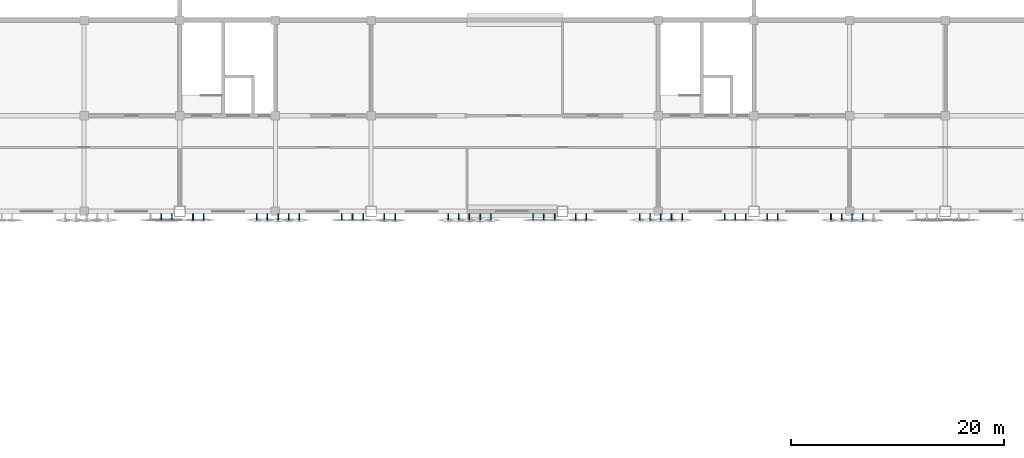
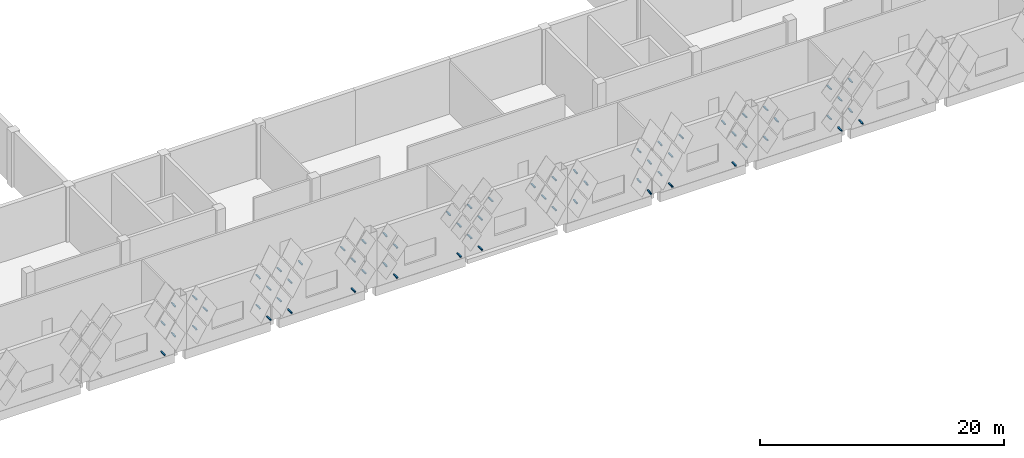
# One storey, part 141 of 185: 64 discrete accessories.
"""IFC4 building model written with IfcOpenShell, lengths in metres."""

from ifc_helpers import new_model, si_unit, direction, frame, origin, place, context, subcontext, project, spatial, polyline, outline, extrude, material, type_object, element, save


model = new_model("IFC4")

# Units and contexts
model_context = context("Model", 3, precision=1e-05, world=origin(), true_north=direction((0.0, 1.0)))
body_context = subcontext(model_context, "Body", "Model", "MODEL_VIEW")
ifc_project = project(units=[si_unit("LENGTHUNIT", "METRE"), si_unit("AREAUNIT", "SQUARE_METRE"), si_unit("VOLUMEUNIT", "CUBIC_METRE"), si_unit("PLANEANGLEUNIT", "RADIAN"), si_unit("MASSUNIT", "GRAM", prefix="KILO")], contexts=[model_context])

# Site, building, storey
site_placement = place(None, origin())
site = spatial("IfcSite", under=ifc_project, at=site_placement, CompositionType="ELEMENT")
building_placement = place(site_placement, origin())
building = spatial("IfcBuilding", under=site, at=building_placement, Name="Opaline Strait Convention Centre", CompositionType="ELEMENT")
storey_placement = place(building_placement, frame((0.0, 0.0, 6.0)))
storey = spatial("IfcBuildingStorey", under=building, at=storey_placement, Name="L01", CompositionType="ELEMENT", Elevation=6.0)

# Discrete accessories
ifc_material = material(Name="Steel Q355B", Category="steel")
discrete_accessory_type = type_object("IfcDiscreteAccessoryType", Name="Tile bracket 100x100 steel", PredefinedType="BRACKET", material=ifc_material)
discrete_accessory_1_placement = place(storey_placement, frame((151.199951171875, 53.800048828125, 0.39208984375), z_axis=(1.0, 0.0, 0.0), x_axis=(0.0, 1.0, 0.0)))
element("IfcDiscreteAccessory", 1, at=discrete_accessory_1_placement, inside=storey, type_object=discrete_accessory_type, Name="Tile bracket XT06 S", PredefinedType="BRACKET", context=body_context, shape_type="SweptSolid", body=[
    extrude(outline(polyline([(0.0, -0.050048828125), (0.0, 0.050048828125), (-0.597412109375, 0.050048828125), (-0.6025390625, -0.050048828125), (0.0, -0.050048828125)])), origin(), (0.0, 0.0, 1.0), 0.10009765625),
])
discrete_accessory_2_placement = place(storey_placement, frame((161.199951171875, 53.800048828125, 0.39208984375), z_axis=(1.0, 0.0, 0.0), x_axis=(0.0, 1.0, 0.0)))
element("IfcDiscreteAccessory", 2, at=discrete_accessory_2_placement, inside=storey, type_object=discrete_accessory_type, Name="Tile bracket XT13 S", PredefinedType="BRACKET", context=body_context, shape_type="SweptSolid", body=[
    extrude(outline(polyline([(0.0, -0.050048828125), (0.0, 0.050048828125), (-0.59423828125, 0.050048828125), (-0.605712890625, -0.050048828125), (0.0, -0.050048828125)])), origin(), (0.0, 0.0, 1.0), 0.10009765625),
])
discrete_accessory_3_placement = place(storey_placement, frame((163.199951171875, 53.800048828125, 0.39208984375), z_axis=(1.0, 0.0, 0.0), x_axis=(0.0, 1.0, 0.0)))
element("IfcDiscreteAccessory", 3, at=discrete_accessory_3_placement, inside=storey, type_object=discrete_accessory_type, Name="Tile bracket XT09 S", PredefinedType="BRACKET", context=body_context, shape_type="SweptSolid", body=[
    extrude(outline(polyline([(0.0, -0.050048828125), (0.0, 0.050048828125), (-0.595947265625, 0.050048828125), (-0.60400390625, -0.050048828125), (0.0, -0.050048828125)])), origin(), (0.0, 0.0, 1.0), 0.10009765625),
])
discrete_accessory_4_placement = place(storey_placement, frame((169.199951171875, 53.800048828125, 0.39208984375), z_axis=(1.0, 0.0, 0.0), x_axis=(0.0, 1.0, 0.0)))
element("IfcDiscreteAccessory", 4, at=discrete_accessory_4_placement, inside=storey, type_object=discrete_accessory_type, Name="Tile bracket XT07 S", PredefinedType="BRACKET", context=body_context, shape_type="SweptSolid", body=[
    extrude(outline(polyline([(0.0, -0.050048828125), (0.0, 0.050048828125), (-0.60302734375, 0.050048828125), (-0.596923828125, -0.050048828125), (0.0, -0.050048828125)])), origin(), (0.0, 0.0, 1.0), 0.10009765625),
])
discrete_accessory_5_placement = place(storey_placement, frame((173.199951171875, 53.800048828125, 0.39208984375), z_axis=(1.0, 0.0, 0.0), x_axis=(0.0, 1.0, 0.0)))
element("IfcDiscreteAccessory", 5, at=discrete_accessory_5_placement, inside=storey, type_object=discrete_accessory_type, Name="Tile bracket XT15 S", PredefinedType="BRACKET", context=body_context, shape_type="SweptSolid", body=[
    extrude(outline(polyline([(0.0, -0.050048828125), (0.0, 0.050048828125), (-0.606689453125, 0.050048828125), (-0.593505859375, -0.050048828125), (0.0, -0.050048828125)])), origin(), (0.0, 0.0, 1.0), 0.10009765625),
])
discrete_accessory_6_placement = place(storey_placement, frame((179.199951171875, 53.800048828125, 0.39208984375), z_axis=(1.0, 0.0, 0.0), x_axis=(0.0, 1.0, 0.0)))
element("IfcDiscreteAccessory", 6, at=discrete_accessory_6_placement, inside=storey, type_object=discrete_accessory_type, Name="Tile bracket XT14 S", PredefinedType="BRACKET", context=body_context, shape_type="SweptSolid", body=[
    extrude(outline(polyline([(0.0, -0.050048828125), (0.0, 0.050048828125), (-0.606201171875, 0.050048828125), (-0.59375, -0.050048828125), (0.0, -0.050048828125)])), origin(), (0.0, 0.0, 1.0), 0.10009765625),
])
discrete_accessory_7_placement = place(storey_placement, frame((181.199951171875, 53.800048828125, 0.39208984375), z_axis=(1.0, 0.0, 0.0), x_axis=(0.0, 1.0, 0.0)))
element("IfcDiscreteAccessory", 7, at=discrete_accessory_7_placement, inside=storey, type_object=discrete_accessory_type, Name="Tile bracket XT10 S", PredefinedType="BRACKET", context=body_context, shape_type="SweptSolid", body=[
    extrude(outline(polyline([(0.0, -0.050048828125), (0.0, 0.050048828125), (-0.604248046875, 0.050048828125), (-0.595703125, -0.050048828125), (0.0, -0.050048828125)])), origin(), (0.0, 0.0, 1.0), 0.10009765625),
])
discrete_accessory_8_placement = place(storey_placement, frame((197.199951171875, 53.800048828125, 0.39208984375), z_axis=(1.0, 0.0, 0.0), x_axis=(0.0, 1.0, 0.0)))
element("IfcDiscreteAccessory", 8, at=discrete_accessory_8_placement, inside=storey, type_object=discrete_accessory_type, Name="Tile bracket XT13 S", PredefinedType="BRACKET", context=body_context, shape_type="SweptSolid", body=[
    extrude(outline(polyline([(0.0, -0.050048828125), (0.0, 0.050048828125), (-0.59423828125, 0.050048828125), (-0.605712890625, -0.050048828125), (0.0, -0.050048828125)])), origin(), (0.0, 0.0, 1.0), 0.10009765625),
])
discrete_accessory_9_placement = place(storey_placement, frame((199.199951171875, 53.800048828125, 0.39208984375), z_axis=(1.0, 0.0, 0.0), x_axis=(0.0, 1.0, 0.0)))
element("IfcDiscreteAccessory", 9, at=discrete_accessory_9_placement, inside=storey, type_object=discrete_accessory_type, Name="Tile bracket XT09 S", PredefinedType="BRACKET", context=body_context, shape_type="SweptSolid", body=[
    extrude(outline(polyline([(0.0, -0.050048828125), (0.0, 0.050048828125), (-0.595947265625, 0.050048828125), (-0.60400390625, -0.050048828125), (0.0, -0.050048828125)])), origin(), (0.0, 0.0, 1.0), 0.10009765625),
])
discrete_accessory_10_placement = place(storey_placement, frame((205.199951171875, 53.800048828125, 0.39208984375), z_axis=(1.0, 0.0, 0.0), x_axis=(0.0, 1.0, 0.0)))
element("IfcDiscreteAccessory", 10, at=discrete_accessory_10_placement, inside=storey, type_object=discrete_accessory_type, Name="Tile bracket XT07 S", PredefinedType="BRACKET", context=body_context, shape_type="SweptSolid", body=[
    extrude(outline(polyline([(0.0, -0.050048828125), (0.0, 0.050048828125), (-0.60302734375, 0.050048828125), (-0.596923828125, -0.050048828125), (0.0, -0.050048828125)])), origin(), (0.0, 0.0, 1.0), 0.10009765625),
])
discrete_accessory_11_placement = place(storey_placement, frame((215.199951171875, 53.800048828125, 0.39208984375), z_axis=(1.0, 0.0, 0.0), x_axis=(0.0, 1.0, 0.0)))
element("IfcDiscreteAccessory", 11, at=discrete_accessory_11_placement, inside=storey, type_object=discrete_accessory_type, Name="Tile bracket XT12 S", PredefinedType="BRACKET", context=body_context, shape_type="SweptSolid", body=[
    extrude(outline(polyline([(0.0, -0.050048828125), (0.0, 0.050048828125), (-0.605224609375, 0.050048828125), (-0.5947265625, -0.050048828125), (0.0, -0.050048828125)])), origin(), (0.0, 0.0, 1.0), 0.10009765625),
])
discrete_accessory_12_placement = place(storey_placement, frame((217.199951171875, 53.800048828125, 0.39208984375), z_axis=(1.0, 0.0, 0.0), x_axis=(0.0, 1.0, 0.0)))
element("IfcDiscreteAccessory", 12, at=discrete_accessory_12_placement, inside=storey, type_object=discrete_accessory_type, Name="Tile bracket XT08 S", PredefinedType="BRACKET", context=body_context, shape_type="SweptSolid", body=[
    extrude(outline(polyline([(0.0, -0.050048828125), (0.0, 0.050048828125), (-0.603515625, 0.050048828125), (-0.596435546875, -0.050048828125), (0.0, -0.050048828125)])), origin(), (0.0, 0.0, 1.0), 0.10009765625),
])
discrete_accessory_13_placement = place(storey_placement, frame((152.199951171875, 53.800048828125, 1.89208984375), z_axis=(1.0, 0.0, 0.0), x_axis=(0.0, 1.0, 0.0)))
element("IfcDiscreteAccessory", 13, at=discrete_accessory_13_placement, inside=storey, type_object=discrete_accessory_type, Name="Tile bracket XT06 S", PredefinedType="BRACKET", context=body_context, shape_type="SweptSolid", body=[
    extrude(outline(polyline([(0.0, -0.050048828125), (0.0, 0.050048828125), (-0.597412109375, 0.050048828125), (-0.6025390625, -0.050048828125), (0.0, -0.050048828125)])), origin(), (0.0, 0.0, 1.0), 0.10009765625),
])
discrete_accessory_14_placement = place(storey_placement, frame((154.199951171875, 53.800048828125, 1.89208984375), z_axis=(1.0, 0.0, 0.0), x_axis=(0.0, 1.0, 0.0)))
element("IfcDiscreteAccessory", 14, at=discrete_accessory_14_placement, inside=storey, type_object=discrete_accessory_type, Name="Tile bracket XT11 S", PredefinedType="BRACKET", context=body_context, shape_type="SweptSolid", body=[
    extrude(outline(polyline([(0.0, -0.050048828125), (0.0, 0.050048828125), (-0.59521484375, 0.050048828125), (-0.604736328125, -0.050048828125), (0.0, -0.050048828125)])), origin(), (0.0, 0.0, 1.0), 0.10009765625),
])
discrete_accessory_15_placement = place(storey_placement, frame((160.199951171875, 53.800048828125, 1.89208984375), z_axis=(1.0, 0.0, 0.0), x_axis=(0.0, 1.0, 0.0)))
element("IfcDiscreteAccessory", 15, at=discrete_accessory_15_placement, inside=storey, type_object=discrete_accessory_type, Name="Tile bracket XT16 S", PredefinedType="BRACKET", context=body_context, shape_type="SweptSolid", body=[
    extrude(outline(polyline([(0.0, -0.050048828125), (0.0, 0.050048828125), (-0.593017578125, 0.050048828125), (-0.60693359375, -0.050048828125), (0.0, -0.050048828125)])), origin(), (0.0, 0.0, 1.0), 0.10009765625),
])
discrete_accessory_16_placement = place(storey_placement, frame((162.199951171875, 53.800048828125, 1.89208984375), z_axis=(1.0, 0.0, 0.0), x_axis=(0.0, 1.0, 0.0)))
element("IfcDiscreteAccessory", 16, at=discrete_accessory_16_placement, inside=storey, type_object=discrete_accessory_type, Name="Tile bracket XT13 S", PredefinedType="BRACKET", context=body_context, shape_type="SweptSolid", body=[
    extrude(outline(polyline([(0.0, -0.050048828125), (0.0, 0.050048828125), (-0.59423828125, 0.050048828125), (-0.605712890625, -0.050048828125), (0.0, -0.050048828125)])), origin(), (0.0, 0.0, 1.0), 0.10009765625),
])
discrete_accessory_17_placement = place(storey_placement, frame((170.199951171875, 53.800048828125, 1.89208984375), z_axis=(1.0, 0.0, 0.0), x_axis=(0.0, 1.0, 0.0)))
element("IfcDiscreteAccessory", 17, at=discrete_accessory_17_placement, inside=storey, type_object=discrete_accessory_type, Name="Tile bracket XT07 S", PredefinedType="BRACKET", context=body_context, shape_type="SweptSolid", body=[
    extrude(outline(polyline([(0.0, -0.050048828125), (0.0, 0.050048828125), (-0.60302734375, 0.050048828125), (-0.596923828125, -0.050048828125), (0.0, -0.050048828125)])), origin(), (0.0, 0.0, 1.0), 0.10009765625),
])
discrete_accessory_18_placement = place(storey_placement, frame((172.199951171875, 53.800048828125, 1.89208984375), z_axis=(1.0, 0.0, 0.0), x_axis=(0.0, 1.0, 0.0)))
element("IfcDiscreteAccessory", 18, at=discrete_accessory_18_placement, inside=storey, type_object=discrete_accessory_type, Name="Tile bracket XT12 S", PredefinedType="BRACKET", context=body_context, shape_type="SweptSolid", body=[
    extrude(outline(polyline([(0.0, -0.050048828125), (0.0, 0.050048828125), (-0.605224609375, 0.050048828125), (-0.5947265625, -0.050048828125), (0.0, -0.050048828125)])), origin(), (0.0, 0.0, 1.0), 0.10009765625),
])
discrete_accessory_19_placement = place(storey_placement, frame((180.199951171875, 53.800048828125, 1.89208984375), z_axis=(1.0, 0.0, 0.0), x_axis=(0.0, 1.0, 0.0)))
element("IfcDiscreteAccessory", 19, at=discrete_accessory_19_placement, inside=storey, type_object=discrete_accessory_type, Name="Tile bracket XT14 S", PredefinedType="BRACKET", context=body_context, shape_type="SweptSolid", body=[
    extrude(outline(polyline([(0.0, -0.050048828125), (0.0, 0.050048828125), (-0.606201171875, 0.050048828125), (-0.59375, -0.050048828125), (0.0, -0.050048828125)])), origin(), (0.0, 0.0, 1.0), 0.10009765625),
])
discrete_accessory_20_placement = place(storey_placement, frame((188.199951171875, 53.800048828125, 1.89208984375), z_axis=(1.0, 0.0, 0.0), x_axis=(0.0, 1.0, 0.0)))
element("IfcDiscreteAccessory", 20, at=discrete_accessory_20_placement, inside=storey, type_object=discrete_accessory_type, Name="Tile bracket XT07 S", PredefinedType="BRACKET", context=body_context, shape_type="SweptSolid", body=[
    extrude(outline(polyline([(0.0, -0.050048828125), (0.0, 0.050048828125), (-0.596923828125, 0.050048828125), (-0.60302734375, -0.050048828125), (0.0, -0.050048828125)])), origin(), (0.0, 0.0, 1.0), 0.10009765625),
])
discrete_accessory_21_placement = place(storey_placement, frame((190.199951171875, 53.800048828125, 1.89208984375), z_axis=(1.0, 0.0, 0.0), x_axis=(0.0, 1.0, 0.0)))
element("IfcDiscreteAccessory", 21, at=discrete_accessory_21_placement, inside=storey, type_object=discrete_accessory_type, Name="Tile bracket XT12 S", PredefinedType="BRACKET", context=body_context, shape_type="SweptSolid", body=[
    extrude(outline(polyline([(0.0, -0.050048828125), (0.0, 0.050048828125), (-0.5947265625, 0.050048828125), (-0.605224609375, -0.050048828125), (0.0, -0.050048828125)])), origin(), (0.0, 0.0, 1.0), 0.10009765625),
])
discrete_accessory_22_placement = place(storey_placement, frame((196.199951171875, 53.800048828125, 1.89208984375), z_axis=(1.0, 0.0, 0.0), x_axis=(0.0, 1.0, 0.0)))
element("IfcDiscreteAccessory", 22, at=discrete_accessory_22_placement, inside=storey, type_object=discrete_accessory_type, Name="Tile bracket XT16 S", PredefinedType="BRACKET", context=body_context, shape_type="SweptSolid", body=[
    extrude(outline(polyline([(0.0, -0.050048828125), (0.0, 0.050048828125), (-0.593017578125, 0.050048828125), (-0.60693359375, -0.050048828125), (0.0, -0.050048828125)])), origin(), (0.0, 0.0, 1.0), 0.10009765625),
])
discrete_accessory_23_placement = place(storey_placement, frame((198.199951171875, 53.800048828125, 1.89208984375), z_axis=(1.0, 0.0, 0.0), x_axis=(0.0, 1.0, 0.0)))
element("IfcDiscreteAccessory", 23, at=discrete_accessory_23_placement, inside=storey, type_object=discrete_accessory_type, Name="Tile bracket XT13 S", PredefinedType="BRACKET", context=body_context, shape_type="SweptSolid", body=[
    extrude(outline(polyline([(0.0, -0.050048828125), (0.0, 0.050048828125), (-0.59423828125, 0.050048828125), (-0.605712890625, -0.050048828125), (0.0, -0.050048828125)])), origin(), (0.0, 0.0, 1.0), 0.10009765625),
])
discrete_accessory_24_placement = place(storey_placement, frame((206.199951171875, 53.800048828125, 1.89208984375), z_axis=(1.0, 0.0, 0.0), x_axis=(0.0, 1.0, 0.0)))
element("IfcDiscreteAccessory", 24, at=discrete_accessory_24_placement, inside=storey, type_object=discrete_accessory_type, Name="Tile bracket XT06 S", PredefinedType="BRACKET", context=body_context, shape_type="SweptSolid", body=[
    extrude(outline(polyline([(0.0, -0.050048828125), (0.0, 0.050048828125), (-0.6025390625, 0.050048828125), (-0.597412109375, -0.050048828125), (0.0, -0.050048828125)])), origin(), (0.0, 0.0, 1.0), 0.10009765625),
])
discrete_accessory_25_placement = place(storey_placement, frame((208.199951171875, 53.800048828125, 1.89208984375), z_axis=(1.0, 0.0, 0.0), x_axis=(0.0, 1.0, 0.0)))
element("IfcDiscreteAccessory", 25, at=discrete_accessory_25_placement, inside=storey, type_object=discrete_accessory_type, Name="Tile bracket XT10 S", PredefinedType="BRACKET", context=body_context, shape_type="SweptSolid", body=[
    extrude(outline(polyline([(0.0, -0.050048828125), (0.0, 0.050048828125), (-0.604248046875, 0.050048828125), (-0.595703125, -0.050048828125), (0.0, -0.050048828125)])), origin(), (0.0, 0.0, 1.0), 0.10009765625),
])
discrete_accessory_26_placement = place(storey_placement, frame((214.199951171875, 53.800048828125, 1.89208984375), z_axis=(1.0, 0.0, 0.0), x_axis=(0.0, 1.0, 0.0)))
element("IfcDiscreteAccessory", 26, at=discrete_accessory_26_placement, inside=storey, type_object=discrete_accessory_type, Name="Tile bracket XT15 S", PredefinedType="BRACKET", context=body_context, shape_type="SweptSolid", body=[
    extrude(outline(polyline([(0.0, -0.050048828125), (0.0, 0.050048828125), (-0.606689453125, 0.050048828125), (-0.593505859375, -0.050048828125), (0.0, -0.050048828125)])), origin(), (0.0, 0.0, 1.0), 0.10009765625),
])
discrete_accessory_27_placement = place(storey_placement, frame((216.199951171875, 53.800048828125, 1.89208984375), z_axis=(1.0, 0.0, 0.0), x_axis=(0.0, 1.0, 0.0)))
element("IfcDiscreteAccessory", 27, at=discrete_accessory_27_placement, inside=storey, type_object=discrete_accessory_type, Name="Tile bracket XT12 S", PredefinedType="BRACKET", context=body_context, shape_type="SweptSolid", body=[
    extrude(outline(polyline([(0.0, -0.050048828125), (0.0, 0.050048828125), (-0.605224609375, 0.050048828125), (-0.5947265625, -0.050048828125), (0.0, -0.050048828125)])), origin(), (0.0, 0.0, 1.0), 0.10009765625),
])
discrete_accessory_28_placement = place(storey_placement, frame((151.199951171875, 53.800048828125, 3.39208984375), z_axis=(1.0, 0.0, 0.0), x_axis=(0.0, 1.0, 0.0)))
element("IfcDiscreteAccessory", 28, at=discrete_accessory_28_placement, inside=storey, type_object=discrete_accessory_type, Name="Tile bracket XT05 S", PredefinedType="BRACKET", context=body_context, shape_type="SweptSolid", body=[
    extrude(outline(polyline([(0.0, -0.050048828125), (0.0, 0.050048828125), (-0.597900390625, 0.050048828125), (-0.602294921875, -0.050048828125), (0.0, -0.050048828125)])), origin(), (0.0, 0.0, 1.0), 0.10009765625),
])
discrete_accessory_29_placement = place(storey_placement, frame((155.199951171875, 53.800048828125, 3.39208984375), z_axis=(1.0, 0.0, 0.0), x_axis=(0.0, 1.0, 0.0)))
element("IfcDiscreteAccessory", 29, at=discrete_accessory_29_placement, inside=storey, type_object=discrete_accessory_type, Name="Tile bracket XT11 S", PredefinedType="BRACKET", context=body_context, shape_type="SweptSolid", body=[
    extrude(outline(polyline([(0.0, -0.050048828125), (0.0, 0.050048828125), (-0.59521484375, 0.050048828125), (-0.604736328125, -0.050048828125), (0.0, -0.050048828125)])), origin(), (0.0, 0.0, 1.0), 0.10009765625),
])
discrete_accessory_30_placement = place(storey_placement, frame((161.199951171875, 53.800048828125, 3.39208984375), z_axis=(1.0, 0.0, 0.0), x_axis=(0.0, 1.0, 0.0)))
element("IfcDiscreteAccessory", 30, at=discrete_accessory_30_placement, inside=storey, type_object=discrete_accessory_type, Name="Tile bracket XT16 S", PredefinedType="BRACKET", context=body_context, shape_type="SweptSolid", body=[
    extrude(outline(polyline([(0.0, -0.050048828125), (0.0, 0.050048828125), (-0.593017578125, 0.050048828125), (-0.60693359375, -0.050048828125), (0.0, -0.050048828125)])), origin(), (0.0, 0.0, 1.0), 0.10009765625),
])
discrete_accessory_31_placement = place(storey_placement, frame((163.199951171875, 53.800048828125, 3.39208984375), z_axis=(1.0, 0.0, 0.0), x_axis=(0.0, 1.0, 0.0)))
element("IfcDiscreteAccessory", 31, at=discrete_accessory_31_placement, inside=storey, type_object=discrete_accessory_type, Name="Tile bracket XT14 S", PredefinedType="BRACKET", context=body_context, shape_type="SweptSolid", body=[
    extrude(outline(polyline([(0.0, -0.050048828125), (0.0, 0.050048828125), (-0.59375, 0.050048828125), (-0.606201171875, -0.050048828125), (0.0, -0.050048828125)])), origin(), (0.0, 0.0, 1.0), 0.10009765625),
])
discrete_accessory_32_placement = place(storey_placement, frame((169.199951171875, 53.800048828125, 3.39208984375), z_axis=(1.0, 0.0, 0.0), x_axis=(0.0, 1.0, 0.0)))
element("IfcDiscreteAccessory", 32, at=discrete_accessory_32_placement, inside=storey, type_object=discrete_accessory_type, Name="Tile bracket XT06 S", PredefinedType="BRACKET", context=body_context, shape_type="SweptSolid", body=[
    extrude(outline(polyline([(0.0, -0.050048828125), (0.0, 0.050048828125), (-0.6025390625, 0.050048828125), (-0.597412109375, -0.050048828125), (0.0, -0.050048828125)])), origin(), (0.0, 0.0, 1.0), 0.10009765625),
])
discrete_accessory_33_placement = place(storey_placement, frame((173.199951171875, 53.800048828125, 3.39208984375), z_axis=(1.0, 0.0, 0.0), x_axis=(0.0, 1.0, 0.0)))
element("IfcDiscreteAccessory", 33, at=discrete_accessory_33_placement, inside=storey, type_object=discrete_accessory_type, Name="Tile bracket XT11 S", PredefinedType="BRACKET", context=body_context, shape_type="SweptSolid", body=[
    extrude(outline(polyline([(0.0, -0.050048828125), (0.0, 0.050048828125), (-0.604736328125, 0.050048828125), (-0.59521484375, -0.050048828125), (0.0, -0.050048828125)])), origin(), (0.0, 0.0, 1.0), 0.10009765625),
])
discrete_accessory_34_placement = place(storey_placement, frame((179.199951171875, 53.800048828125, 3.39208984375), z_axis=(1.0, 0.0, 0.0), x_axis=(0.0, 1.0, 0.0)))
element("IfcDiscreteAccessory", 34, at=discrete_accessory_34_placement, inside=storey, type_object=discrete_accessory_type, Name="Tile bracket XT17 S", PredefinedType="BRACKET", context=body_context, shape_type="SweptSolid", body=[
    extrude(outline(polyline([(0.0, -0.050048828125), (0.0, 0.050048828125), (-0.607421875, 0.050048828125), (-0.592529296875, -0.050048828125), (0.0, -0.050048828125)])), origin(), (0.0, 0.0, 1.0), 0.10009765625),
])
discrete_accessory_35_placement = place(storey_placement, frame((181.199951171875, 53.800048828125, 3.39208984375), z_axis=(1.0, 0.0, 0.0), x_axis=(0.0, 1.0, 0.0)))
element("IfcDiscreteAccessory", 35, at=discrete_accessory_35_placement, inside=storey, type_object=discrete_accessory_type, Name="Tile bracket XT14 S", PredefinedType="BRACKET", context=body_context, shape_type="SweptSolid", body=[
    extrude(outline(polyline([(0.0, -0.050048828125), (0.0, 0.050048828125), (-0.606201171875, 0.050048828125), (-0.59375, -0.050048828125), (0.0, -0.050048828125)])), origin(), (0.0, 0.0, 1.0), 0.10009765625),
])
discrete_accessory_36_placement = place(storey_placement, frame((187.199951171875, 53.800048828125, 3.39208984375), z_axis=(1.0, 0.0, 0.0), x_axis=(0.0, 1.0, 0.0)))
element("IfcDiscreteAccessory", 36, at=discrete_accessory_36_placement, inside=storey, type_object=discrete_accessory_type, Name="Tile bracket XT06 S", PredefinedType="BRACKET", context=body_context, shape_type="SweptSolid", body=[
    extrude(outline(polyline([(0.0, -0.050048828125), (0.0, 0.050048828125), (-0.597412109375, 0.050048828125), (-0.6025390625, -0.050048828125), (0.0, -0.050048828125)])), origin(), (0.0, 0.0, 1.0), 0.10009765625),
])
discrete_accessory_37_placement = place(storey_placement, frame((191.199951171875, 53.800048828125, 3.39208984375), z_axis=(1.0, 0.0, 0.0), x_axis=(0.0, 1.0, 0.0)))
element("IfcDiscreteAccessory", 37, at=discrete_accessory_37_placement, inside=storey, type_object=discrete_accessory_type, Name="Tile bracket XT11 S", PredefinedType="BRACKET", context=body_context, shape_type="SweptSolid", body=[
    extrude(outline(polyline([(0.0, -0.050048828125), (0.0, 0.050048828125), (-0.59521484375, 0.050048828125), (-0.604736328125, -0.050048828125), (0.0, -0.050048828125)])), origin(), (0.0, 0.0, 1.0), 0.10009765625),
])
discrete_accessory_38_placement = place(storey_placement, frame((197.199951171875, 53.800048828125, 3.39208984375), z_axis=(1.0, 0.0, 0.0), x_axis=(0.0, 1.0, 0.0)))
element("IfcDiscreteAccessory", 38, at=discrete_accessory_38_placement, inside=storey, type_object=discrete_accessory_type, Name="Tile bracket XT16 S", PredefinedType="BRACKET", context=body_context, shape_type="SweptSolid", body=[
    extrude(outline(polyline([(0.0, -0.050048828125), (0.0, 0.050048828125), (-0.593017578125, 0.050048828125), (-0.60693359375, -0.050048828125), (0.0, -0.050048828125)])), origin(), (0.0, 0.0, 1.0), 0.10009765625),
])
discrete_accessory_39_placement = place(storey_placement, frame((199.199951171875, 53.800048828125, 3.39208984375), z_axis=(1.0, 0.0, 0.0), x_axis=(0.0, 1.0, 0.0)))
element("IfcDiscreteAccessory", 39, at=discrete_accessory_39_placement, inside=storey, type_object=discrete_accessory_type, Name="Tile bracket XT14 S", PredefinedType="BRACKET", context=body_context, shape_type="SweptSolid", body=[
    extrude(outline(polyline([(0.0, -0.050048828125), (0.0, 0.050048828125), (-0.59375, 0.050048828125), (-0.606201171875, -0.050048828125), (0.0, -0.050048828125)])), origin(), (0.0, 0.0, 1.0), 0.10009765625),
])
discrete_accessory_40_placement = place(storey_placement, frame((205.199951171875, 53.800048828125, 3.39208984375), z_axis=(1.0, 0.0, 0.0), x_axis=(0.0, 1.0, 0.0)))
element("IfcDiscreteAccessory", 40, at=discrete_accessory_40_placement, inside=storey, type_object=discrete_accessory_type, Name="Tile bracket XT06 S", PredefinedType="BRACKET", context=body_context, shape_type="SweptSolid", body=[
    extrude(outline(polyline([(0.0, -0.050048828125), (0.0, 0.050048828125), (-0.6025390625, 0.050048828125), (-0.597412109375, -0.050048828125), (0.0, -0.050048828125)])), origin(), (0.0, 0.0, 1.0), 0.10009765625),
])
discrete_accessory_41_placement = place(storey_placement, frame((209.199951171875, 53.800048828125, 3.39208984375), z_axis=(1.0, 0.0, 0.0), x_axis=(0.0, 1.0, 0.0)))
element("IfcDiscreteAccessory", 41, at=discrete_accessory_41_placement, inside=storey, type_object=discrete_accessory_type, Name="Tile bracket XT10 S", PredefinedType="BRACKET", context=body_context, shape_type="SweptSolid", body=[
    extrude(outline(polyline([(0.0, -0.050048828125), (0.0, 0.050048828125), (-0.604248046875, 0.050048828125), (-0.595703125, -0.050048828125), (0.0, -0.050048828125)])), origin(), (0.0, 0.0, 1.0), 0.10009765625),
])
discrete_accessory_42_placement = place(storey_placement, frame((215.199951171875, 53.800048828125, 3.39208984375), z_axis=(1.0, 0.0, 0.0), x_axis=(0.0, 1.0, 0.0)))
element("IfcDiscreteAccessory", 42, at=discrete_accessory_42_placement, inside=storey, type_object=discrete_accessory_type, Name="Tile bracket XT15 S", PredefinedType="BRACKET", context=body_context, shape_type="SweptSolid", body=[
    extrude(outline(polyline([(0.0, -0.050048828125), (0.0, 0.050048828125), (-0.606689453125, 0.050048828125), (-0.593505859375, -0.050048828125), (0.0, -0.050048828125)])), origin(), (0.0, 0.0, 1.0), 0.10009765625),
])
discrete_accessory_43_placement = place(storey_placement, frame((152.199951171875, 53.800048828125, 4.89208984375), z_axis=(1.0, 0.0, 0.0), x_axis=(0.0, 1.0, 0.0)))
element("IfcDiscreteAccessory", 43, at=discrete_accessory_43_placement, inside=storey, type_object=discrete_accessory_type, Name="Tile bracket XT05 S", PredefinedType="BRACKET", context=body_context, shape_type="SweptSolid", body=[
    extrude(outline(polyline([(0.0, -0.050048828125), (0.0, 0.050048828125), (-0.597900390625, 0.050048828125), (-0.602294921875, -0.050048828125), (0.0, -0.050048828125)])), origin(), (0.0, 0.0, 1.0), 0.10009765625),
])
discrete_accessory_44_placement = place(storey_placement, frame((154.199951171875, 53.800048828125, 4.89208984375), z_axis=(1.0, 0.0, 0.0), x_axis=(0.0, 1.0, 0.0)))
element("IfcDiscreteAccessory", 44, at=discrete_accessory_44_placement, inside=storey, type_object=discrete_accessory_type, Name="Tile bracket XT06 S", PredefinedType="BRACKET", context=body_context, shape_type="SweptSolid", body=[
    extrude(outline(polyline([(0.0, -0.050048828125), (0.0, 0.050048828125), (-0.597412109375, 0.050048828125), (-0.6025390625, -0.050048828125), (0.0, -0.050048828125)])), origin(), (0.0, 0.0, 1.0), 0.10009765625),
])
for number, where, z_axis, x_axis, name in (
    (45, (160.199951171875, 53.800048828125, 4.89208984375), (1.0, 0.0, 0.0), (0.0, 1.0, 0.0), "Tile bracket XT16 S"),
    (46, (162.199951171875, 53.800048828125, 4.89208984375), (1.0, 0.0, 0.0), (0.0, 1.0, 0.0), "Tile bracket XT16 S"),
):
    element("IfcDiscreteAccessory", number, at=place(storey_placement, frame(where, z_axis=z_axis, x_axis=x_axis)), inside=storey, type_object=discrete_accessory_type, Name=name, PredefinedType="BRACKET", context=body_context, shape_type="SweptSolid", body=[
        extrude(outline(polyline([(0.0, -0.050048828125), (0.0, 0.050048828125), (-0.593017578125, 0.050048828125), (-0.60693359375, -0.050048828125), (0.0, -0.050048828125)])), origin(), (0.0, 0.0, 1.0), 0.10009765625),
    ])
discrete_accessory_45_placement = place(storey_placement, frame((164.199951171875, 53.800048828125, 4.89208984375), z_axis=(1.0, 0.0, 0.0), x_axis=(0.0, 1.0, 0.0)))
element("IfcDiscreteAccessory", 47, at=discrete_accessory_45_placement, inside=storey, type_object=discrete_accessory_type, Name="Tile bracket XT14 S", PredefinedType="BRACKET", context=body_context, shape_type="SweptSolid", body=[
    extrude(outline(polyline([(0.0, -0.050048828125), (0.0, 0.050048828125), (-0.59375, 0.050048828125), (-0.606201171875, -0.050048828125), (0.0, -0.050048828125)])), origin(), (0.0, 0.0, 1.0), 0.10009765625),
])
discrete_accessory_46_placement = place(storey_placement, frame((168.199951171875, 53.800048828125, 4.89208984375), z_axis=(1.0, 0.0, 0.0), x_axis=(0.0, 1.0, 0.0)))
element("IfcDiscreteAccessory", 48, at=discrete_accessory_46_placement, inside=storey, type_object=discrete_accessory_type, Name="Tile bracket XT06 S", PredefinedType="BRACKET", context=body_context, shape_type="SweptSolid", body=[
    extrude(outline(polyline([(0.0, -0.050048828125), (0.0, 0.050048828125), (-0.597412109375, 0.050048828125), (-0.6025390625, -0.050048828125), (0.0, -0.050048828125)])), origin(), (0.0, 0.0, 1.0), 0.10009765625),
])
for number, where, z_axis, x_axis, name in (
    (49, (170.199951171875, 53.800048828125, 4.89208984375), (1.0, 0.0, 0.0), (0.0, 1.0, 0.0), "Tile bracket XT06 S"),
    (50, (172.199951171875, 53.800048828125, 4.89208984375), (1.0, 0.0, 0.0), (0.0, 1.0, 0.0), "Tile bracket XT06 S"),
):
    element("IfcDiscreteAccessory", number, at=place(storey_placement, frame(where, z_axis=z_axis, x_axis=x_axis)), inside=storey, type_object=discrete_accessory_type, Name=name, PredefinedType="BRACKET", context=body_context, shape_type="SweptSolid", body=[
        extrude(outline(polyline([(0.0, -0.050048828125), (0.0, 0.050048828125), (-0.6025390625, 0.050048828125), (-0.597412109375, -0.050048828125), (0.0, -0.050048828125)])), origin(), (0.0, 0.0, 1.0), 0.10009765625),
    ])
for number, where, z_axis, x_axis, name in (
    (51, (178.199951171875, 53.800048828125, 4.89208984375), (1.0, 0.0, 0.0), (0.0, 1.0, 0.0), "Tile bracket XT17 S"),
    (52, (180.199951171875, 53.800048828125, 4.89208984375), (1.0, 0.0, 0.0), (0.0, 1.0, 0.0), "Tile bracket XT17 S"),
):
    element("IfcDiscreteAccessory", number, at=place(storey_placement, frame(where, z_axis=z_axis, x_axis=x_axis)), inside=storey, type_object=discrete_accessory_type, Name=name, PredefinedType="BRACKET", context=body_context, shape_type="SweptSolid", body=[
        extrude(outline(polyline([(0.0, -0.050048828125), (0.0, 0.050048828125), (-0.607421875, 0.050048828125), (-0.592529296875, -0.050048828125), (0.0, -0.050048828125)])), origin(), (0.0, 0.0, 1.0), 0.10009765625),
    ])
discrete_accessory_47_placement = place(storey_placement, frame((182.199951171875, 53.800048828125, 4.89208984375), z_axis=(1.0, 0.0, 0.0), x_axis=(0.0, 1.0, 0.0)))
element("IfcDiscreteAccessory", 53, at=discrete_accessory_47_placement, inside=storey, type_object=discrete_accessory_type, Name="Tile bracket XT15 S", PredefinedType="BRACKET", context=body_context, shape_type="SweptSolid", body=[
    extrude(outline(polyline([(0.0, -0.050048828125), (0.0, 0.050048828125), (-0.606689453125, 0.050048828125), (-0.593505859375, -0.050048828125), (0.0, -0.050048828125)])), origin(), (0.0, 0.0, 1.0), 0.10009765625),
])
discrete_accessory_48_placement = place(storey_placement, frame((186.199951171875, 53.800048828125, 4.89208984375), z_axis=(1.0, 0.0, 0.0), x_axis=(0.0, 1.0, 0.0)))
element("IfcDiscreteAccessory", 54, at=discrete_accessory_48_placement, inside=storey, type_object=discrete_accessory_type, Name="Tile bracket XT06 S", PredefinedType="BRACKET", context=body_context, shape_type="SweptSolid", body=[
    extrude(outline(polyline([(0.0, -0.050048828125), (0.0, 0.050048828125), (-0.6025390625, 0.050048828125), (-0.597412109375, -0.050048828125), (0.0, -0.050048828125)])), origin(), (0.0, 0.0, 1.0), 0.10009765625),
])
for number, where, z_axis, x_axis, name in (
    (55, (188.199951171875, 53.800048828125, 4.89208984375), (1.0, 0.0, 0.0), (0.0, 1.0, 0.0), "Tile bracket XT06 S"),
    (56, (190.199951171875, 53.800048828125, 4.89208984375), (1.0, 0.0, 0.0), (0.0, 1.0, 0.0), "Tile bracket XT06 S"),
):
    element("IfcDiscreteAccessory", number, at=place(storey_placement, frame(where, z_axis=z_axis, x_axis=x_axis)), inside=storey, type_object=discrete_accessory_type, Name=name, PredefinedType="BRACKET", context=body_context, shape_type="SweptSolid", body=[
        extrude(outline(polyline([(0.0, -0.050048828125), (0.0, 0.050048828125), (-0.597412109375, 0.050048828125), (-0.6025390625, -0.050048828125), (0.0, -0.050048828125)])), origin(), (0.0, 0.0, 1.0), 0.10009765625),
    ])
for number, where, z_axis, x_axis, name in (
    (57, (196.199951171875, 53.800048828125, 4.89208984375), (1.0, 0.0, 0.0), (0.0, 1.0, 0.0), "Tile bracket XT16 S"),
    (58, (198.199951171875, 53.800048828125, 4.89208984375), (1.0, 0.0, 0.0), (0.0, 1.0, 0.0), "Tile bracket XT16 S"),
):
    element("IfcDiscreteAccessory", number, at=place(storey_placement, frame(where, z_axis=z_axis, x_axis=x_axis)), inside=storey, type_object=discrete_accessory_type, Name=name, PredefinedType="BRACKET", context=body_context, shape_type="SweptSolid", body=[
        extrude(outline(polyline([(0.0, -0.050048828125), (0.0, 0.050048828125), (-0.593017578125, 0.050048828125), (-0.60693359375, -0.050048828125), (0.0, -0.050048828125)])), origin(), (0.0, 0.0, 1.0), 0.10009765625),
    ])
discrete_accessory_49_placement = place(storey_placement, frame((200.199951171875, 53.800048828125, 4.89208984375), z_axis=(1.0, 0.0, 0.0), x_axis=(0.0, 1.0, 0.0)))
element("IfcDiscreteAccessory", 59, at=discrete_accessory_49_placement, inside=storey, type_object=discrete_accessory_type, Name="Tile bracket XT14 S", PredefinedType="BRACKET", context=body_context, shape_type="SweptSolid", body=[
    extrude(outline(polyline([(0.0, -0.050048828125), (0.0, 0.050048828125), (-0.59375, 0.050048828125), (-0.606201171875, -0.050048828125), (0.0, -0.050048828125)])), origin(), (0.0, 0.0, 1.0), 0.10009765625),
])
discrete_accessory_50_placement = place(storey_placement, frame((204.199951171875, 53.800048828125, 4.89208984375), z_axis=(1.0, 0.0, 0.0), x_axis=(0.0, 1.0, 0.0)))
element("IfcDiscreteAccessory", 60, at=discrete_accessory_50_placement, inside=storey, type_object=discrete_accessory_type, Name="Tile bracket XT06 S", PredefinedType="BRACKET", context=body_context, shape_type="SweptSolid", body=[
    extrude(outline(polyline([(0.0, -0.050048828125), (0.0, 0.050048828125), (-0.597412109375, 0.050048828125), (-0.6025390625, -0.050048828125), (0.0, -0.050048828125)])), origin(), (0.0, 0.0, 1.0), 0.10009765625),
])
discrete_accessory_51_placement = place(storey_placement, frame((206.199951171875, 53.800048828125, 4.89208984375), z_axis=(1.0, 0.0, 0.0), x_axis=(0.0, 1.0, 0.0)))
element("IfcDiscreteAccessory", 61, at=discrete_accessory_51_placement, inside=storey, type_object=discrete_accessory_type, Name="Tile bracket XT06 S", PredefinedType="BRACKET", context=body_context, shape_type="SweptSolid", body=[
    extrude(outline(polyline([(0.0, -0.050048828125), (0.0, 0.050048828125), (-0.6025390625, 0.050048828125), (-0.597412109375, -0.050048828125), (0.0, -0.050048828125)])), origin(), (0.0, 0.0, 1.0), 0.10009765625),
])
discrete_accessory_52_placement = place(storey_placement, frame((208.199951171875, 53.800048828125, 4.89208984375), z_axis=(1.0, 0.0, 0.0), x_axis=(0.0, 1.0, 0.0)))
element("IfcDiscreteAccessory", 62, at=discrete_accessory_52_placement, inside=storey, type_object=discrete_accessory_type, Name="Tile bracket XT05 S", PredefinedType="BRACKET", context=body_context, shape_type="SweptSolid", body=[
    extrude(outline(polyline([(0.0, -0.050048828125), (0.0, 0.050048828125), (-0.602294921875, 0.050048828125), (-0.597900390625, -0.050048828125), (0.0, -0.050048828125)])), origin(), (0.0, 0.0, 1.0), 0.10009765625),
])
discrete_accessory_53_placement = place(storey_placement, frame((214.199951171875, 53.800048828125, 4.89208984375), z_axis=(1.0, 0.0, 0.0), x_axis=(0.0, 1.0, 0.0)))
element("IfcDiscreteAccessory", 63, at=discrete_accessory_53_placement, inside=storey, type_object=discrete_accessory_type, Name="Tile bracket XT15 S", PredefinedType="BRACKET", context=body_context, shape_type="SweptSolid", body=[
    extrude(outline(polyline([(0.0, -0.050048828125), (0.0, 0.050048828125), (-0.606689453125, 0.050048828125), (-0.593505859375, -0.050048828125), (0.0, -0.050048828125)])), origin(), (0.0, 0.0, 1.0), 0.10009765625),
])
discrete_accessory_54_placement = place(storey_placement, frame((216.199951171875, 53.800048828125, 4.89208984375), z_axis=(1.0, 0.0, 0.0), x_axis=(0.0, 1.0, 0.0)))
element("IfcDiscreteAccessory", 64, at=discrete_accessory_54_placement, inside=storey, type_object=discrete_accessory_type, Name="Tile bracket XT14 S", PredefinedType="BRACKET", context=body_context, shape_type="SweptSolid", body=[
    extrude(outline(polyline([(0.0, -0.050048828125), (0.0, 0.050048828125), (-0.606201171875, 0.050048828125), (-0.59375, -0.050048828125), (0.0, -0.050048828125)])), origin(), (0.0, 0.0, 1.0), 0.10009765625),
])

save(model, "model.ifc")
